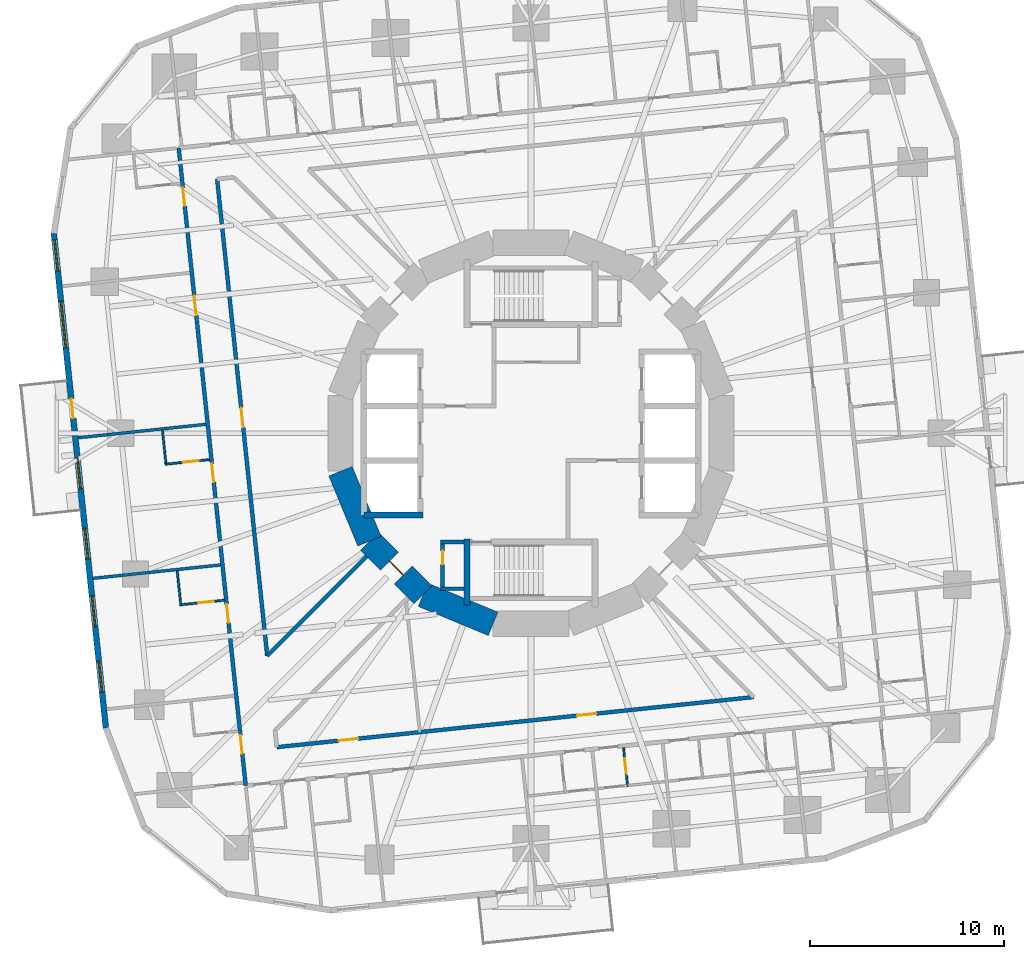
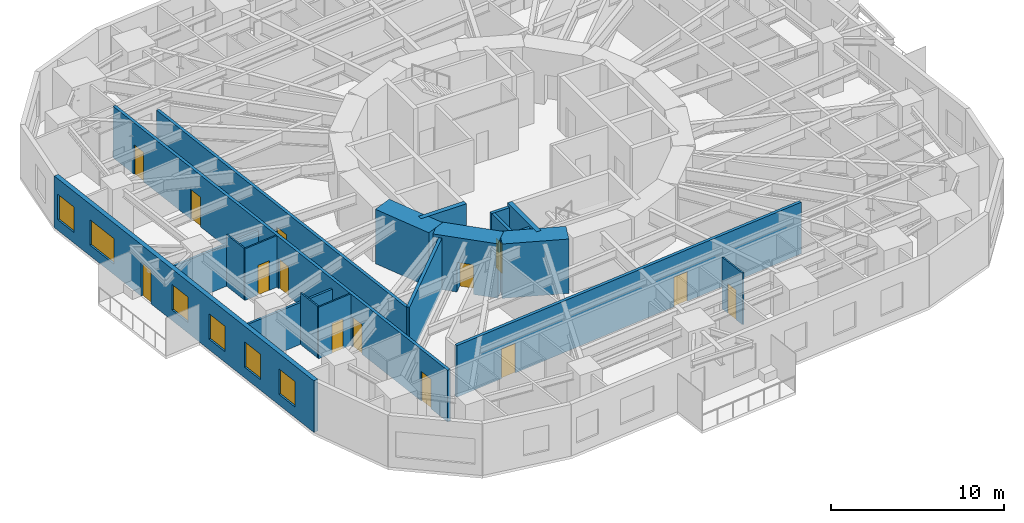
# One storey, part 6 of 13: 20 walls, 14 doors, 6 windows, 20 openings.
"""IFC4 building model written with IfcOpenShell, lengths in metres."""

from ifc_helpers import new_model, si_unit, direction, frame, frame_2d, origin, place, context, subcontext, project, spatial, rectangle, extrude, material, layer, layer_set, type_object, element, fill, save


model = new_model("IFC4")

# Units and contexts
model_context = context("Model", 3, precision=1e-05, world=origin(), true_north=direction((0.0, 1.0)))
body_context = subcontext(model_context, "Body", "Model", "MODEL_VIEW")
ifc_project = project(units=[si_unit("LENGTHUNIT", "METRE"), si_unit("AREAUNIT", "SQUARE_METRE"), si_unit("VOLUMEUNIT", "CUBIC_METRE"), si_unit("PLANEANGLEUNIT", "RADIAN"), si_unit("MASSUNIT", "GRAM", prefix="KILO")], contexts=[model_context])

# Site, building, storey
site_placement = place(None, origin())
site = spatial("IfcSite", under=ifc_project, at=site_placement, CompositionType="ELEMENT")
building_placement = place(site_placement, origin())
building = spatial("IfcBuilding", under=site, at=building_placement, Name="Nakasero Lantern House", CompositionType="ELEMENT")
storey_placement = place(building_placement, frame((0.0, 0.0, 83.60009765625)))
storey = spatial("IfcBuildingStorey", under=building, at=storey_placement, Name="L20", CompositionType="ELEMENT", Elevation=83.60009765625)

# Walls
ifc_material_1 = material(Name="Concrete C50/60", Category="concrete")
ifc_layer_1 = layer(ifc_material_1, 0.300048828125)
ifc_layer_set_1 = layer_set([ifc_layer_1], Name="Core inner wall 300")
wall_type_1 = type_object("IfcWallType", Name="Core inner wall 300", PredefinedType="SHEAR", material=ifc_layer_set_1)
wall_1_placement = place(storey_placement, frame((-8.60009765625, -4.199951171875, 0.0), z_axis=(0.0, 0.0, 1.0), x_axis=(1.0, 0.0, 0.0)))
element("IfcWall", 1, at=wall_1_placement, inside=storey, type_object=wall_type_1, Name="Core inner wall L20 LWS", PredefinedType="SHEAR", context=body_context, shape_type="SweptSolid", body=[
    extrude(rectangle(XDim=3.050048828125, YDim=0.300048828125, at=frame_2d((1.52490234375, 0.0))), origin(), (0.0, 0.0, 1.0), 3.849853515625),
])
wall_2_placement = place(storey_placement, frame((-3.300048828125, -5.449951171875, 0.0), z_axis=(0.0, 0.0, 1.0), x_axis=(0.0, -1.0, 0.0)))
element("IfcWall", 2, at=wall_2_placement, inside=storey, type_object=wall_type_1, Name="Core inner wall L20 SSW", PredefinedType="SHEAR", context=body_context, shape_type="SweptSolid", body=[
    extrude(rectangle(XDim=3.400146484375, YDim=0.300048828125, at=frame_2d((1.7001953125, 0.0))), origin(), (0.0, 0.0, 1.0), 3.849853515625),
])
ifc_material_2 = material(Name="Concrete C50/60", Category="concrete")
ifc_layer_2 = layer(ifc_material_2, 1.300048828125)
ifc_layer_set_2 = layer_set([ifc_layer_2], Name="Core wall 1300")
wall_type_2 = type_object("IfcWallType", Name="Core wall 1300", PredefinedType="SHEAR", material=ifc_layer_set_2)
wall_3_placement = place(storey_placement, frame((-9.807861328125, -1.950927734375, 0.0), z_axis=(0.0, 0.0, 1.0), x_axis=(0.382690736062, -0.923876507187, 0.0)))
element("IfcWall", 3, at=wall_3_placement, inside=storey, type_object=wall_type_2, Name="Core wall L20 facet 9", PredefinedType="SHEAR", context=body_context, shape_type="SweptSolid", body=[
    extrude(rectangle(XDim=3.90185546875, YDim=1.300048828125, at=frame_2d((1.950927734375, 0.0))), origin(), (0.0, 0.0, 1.0), 3.849853515625),
])

# Wall, opening, door
wall_4_placement = place(storey_placement, frame((-8.314697265625, -5.5556640625, 0.0), z_axis=(0.0, 0.0, 1.0), x_axis=(0.707106781187, -0.707106781187, 0.0)))
wall_4 = element("IfcWall", 4, at=wall_4_placement, inside=storey, type_object=wall_type_2, Name="Core wall L20 facet 10", PredefinedType="SHEAR", context=body_context, shape_type="SweptSolid", body=[
    extrude(rectangle(XDim=3.90185546875, YDim=1.300048828125, at=frame_2d((1.950927734375, 0.0))), origin(), (0.0, 0.0, 1.0), 3.849853515625),
])
opening_1_placement = place(wall_4_placement, frame((1.450927734375, 0.0, 0.0)))
opening_1 = element("IfcOpeningElement", 5, at=opening_1_placement, cuts=wall_4, Name="Opening D05", PredefinedType="OPENING", context=body_context, shape_type="SweptSolid", body=[
    extrude(rectangle(XDim=1.0, YDim=2.10009765625, at=frame_2d((0.5, 1.050048828125))), frame((0.0, 0.669921875, 0.0), z_axis=(0.0, -1.0, 0.0), x_axis=(1.0, 0.0, 0.0)), (0.0, 0.0, 1.0), 1.340087890625),
])
ifc_material_3 = material(Name="Timber C24", Category="wood")
door_type_1 = type_object("IfcDoorType", Name="Core door FD60S 1000", OperationType="SINGLE_SWING_LEFT", PredefinedType="DOOR", material=ifc_material_3)
door_1_placement = place(opening_1_placement, origin())
door_1 = element("IfcDoor", 6, at=door_1_placement, inside=storey, type_object=door_type_1, Name="Door L20 D-CORE10", OperationType="SINGLE_SWING_LEFT", OverallHeight=2.10009765625, OverallWidth=1.0, PredefinedType="DOOR", context=body_context, shape_type="SweptSolid", body=[
    extrude(rectangle(XDim=1.0, YDim=2.10009765625, at=frame_2d((0.5, 1.050048828125))), frame((0.0, 0.02490234375, 0.0), z_axis=(0.0, -1.0, 0.0), x_axis=(1.0, 0.0, 0.0)), (0.0, 0.0, 1.0), 0.050048828125),
])
fill(opening_1, door_1)

# Wall
wall_5_placement = place(storey_placement, frame((-5.5556640625, -8.314697265625, 0.0), z_axis=(0.0, 0.0, 1.0), x_axis=(0.923876507187, -0.382690736062, 0.0)))
element("IfcWall", 7, at=wall_5_placement, inside=storey, type_object=wall_type_2, Name="Core wall L20 facet 11", PredefinedType="SHEAR", context=body_context, shape_type="SweptSolid", body=[
    extrude(rectangle(XDim=3.90185546875, YDim=1.300048828125, at=frame_2d((1.950927734375, 0.0))), origin(), (0.0, 0.0, 1.0), 3.849853515625),
])

# Wall, openings, doors
ifc_material_4 = material(Name="Blockwork", Category="masonry")
ifc_layer_3 = layer(ifc_material_4, 0.199951171875)
ifc_layer_set_3 = layer_set([ifc_layer_3], Name="Corridor wall 200")
wall_type_3 = type_object("IfcWallType", Name="Corridor wall 200", PredefinedType="PARTITIONING", material=ifc_layer_set_3)
wall_6_placement = place(storey_placement, frame((-18.13427734375, 14.684814453125, 0.0), z_axis=(0.0, 0.0, 1.0), x_axis=(0.10452958258, -0.994521777723, 0.0)))
wall_6 = element("IfcWall", 8, at=wall_6_placement, inside=storey, type_object=wall_type_3, Name="Corridor wall L20 CW2", PredefinedType="PARTITIONING", context=body_context, shape_type="SweptSolid", body=[
    extrude(rectangle(XDim=32.999755859375, YDim=0.199951171875, at=frame_2d((16.5, 0.0))), origin(), (0.0, 0.0, 1.0), 3.64990234375),
])
opening_2_placement = place(wall_6_placement, frame((2.050048828125, 0.0, 0.0)))
opening_2 = element("IfcOpeningElement", 9, at=opening_2_placement, cuts=wall_6, Name="Opening D01", PredefinedType="OPENING", context=body_context, shape_type="SweptSolid", body=[
    extrude(rectangle(XDim=0.949951171875, YDim=2.10009765625, at=frame_2d((0.47509765625, 1.050048828125))), frame((0.0, 0.119873046875, 0.0), z_axis=(0.0, -1.0, 0.0), x_axis=(1.0, 0.0, 0.0)), (0.0, 0.0, 1.0), 0.239990234375),
])
opening_3_placement = place(wall_6_placement, frame((16.3427734375, 0.0, 0.0)))
opening_3 = element("IfcOpeningElement", 10, at=opening_3_placement, cuts=wall_6, Name="Opening D01", PredefinedType="OPENING", context=body_context, shape_type="SweptSolid", body=[
    extrude(rectangle(XDim=0.949951171875, YDim=2.10009765625, at=frame_2d((0.47509765625, 1.050048828125))), frame((0.0, 0.119873046875, 0.0), z_axis=(0.0, -1.0, 0.0), x_axis=(1.0, 0.0, 0.0)), (0.0, 0.0, 1.0), 0.239990234375),
])
opening_4_placement = place(wall_6_placement, frame((23.6201171875, 0.0, 0.0)))
opening_4 = element("IfcOpeningElement", 11, at=opening_4_placement, cuts=wall_6, Name="Opening D01", PredefinedType="OPENING", context=body_context, shape_type="SweptSolid", body=[
    extrude(rectangle(XDim=0.949951171875, YDim=2.10009765625, at=frame_2d((0.47509765625, 1.050048828125))), frame((0.0, 0.119873046875, 0.0), z_axis=(0.0, -1.0, 0.0), x_axis=(1.0, 0.0, 0.0)), (0.0, 0.0, 1.0), 0.239990234375),
])
opening_5_placement = place(wall_6_placement, frame((30.39111328125, 0.0, 0.0)))
opening_5 = element("IfcOpeningElement", 12, at=opening_5_placement, cuts=wall_6, Name="Opening D01", PredefinedType="OPENING", context=body_context, shape_type="SweptSolid", body=[
    extrude(rectangle(XDim=0.949951171875, YDim=2.10009765625, at=frame_2d((0.47509765625, 1.050048828125))), frame((0.0, 0.119873046875, 0.0), z_axis=(0.0, -1.0, 0.0), x_axis=(1.0, 0.0, 0.0)), (0.0, 0.0, 1.0), 0.239990234375),
])
opening_6_placement = place(wall_6_placement, frame((7.650634765625, 0.0, 0.0)))
opening_6 = element("IfcOpeningElement", 13, at=opening_6_placement, cuts=wall_6, Name="Opening D03", PredefinedType="OPENING", context=body_context, shape_type="SweptSolid", body=[
    extrude(rectangle(XDim=1.0, YDim=2.10009765625, at=frame_2d((0.5, 1.050048828125))), frame((0.0, 0.119873046875, 0.0), z_axis=(0.0, -1.0, 0.0), x_axis=(1.0, 0.0, 0.0)), (0.0, 0.0, 1.0), 0.239990234375),
])
ifc_material_5 = material(Name="Timber C24", Category="wood")
door_type_2 = type_object("IfcDoorType", Name="Bedroom door FD30S 950", OperationType="SINGLE_SWING_LEFT", PredefinedType="DOOR", material=ifc_material_5)
door_2_placement = place(opening_2_placement, origin())
door_2 = element("IfcDoor", 14, at=door_2_placement, inside=storey, type_object=door_type_2, Name="Door L20 D2-00", OperationType="SINGLE_SWING_LEFT", OverallHeight=2.10009765625, OverallWidth=0.949951171875, PredefinedType="DOOR", context=body_context, shape_type="SweptSolid", body=[
    extrude(rectangle(XDim=0.949951171875, YDim=2.10009765625, at=frame_2d((0.47509765625, 1.050048828125))), frame((0.0, 0.02490234375, 0.0), z_axis=(0.0, -1.0, 0.0), x_axis=(1.0, 0.0, 0.0)), (0.0, 0.0, 1.0), 0.050048828125),
])
fill(opening_2, door_2)
door_3_placement = place(opening_3_placement, origin())
door_3 = element("IfcDoor", 15, at=door_3_placement, inside=storey, type_object=door_type_2, Name="Door L20 D2-04", OperationType="SINGLE_SWING_RIGHT", OverallHeight=2.10009765625, OverallWidth=0.949951171875, PredefinedType="DOOR", context=body_context, shape_type="SweptSolid", body=[
    extrude(rectangle(XDim=0.949951171875, YDim=2.10009765625, at=frame_2d((0.47509765625, 1.050048828125))), frame((0.0, 0.02490234375, 0.0), z_axis=(0.0, -1.0, 0.0), x_axis=(1.0, 0.0, 0.0)), (0.0, 0.0, 1.0), 0.050048828125),
])
fill(opening_3, door_3)
door_4_placement = place(opening_4_placement, origin())
door_4 = element("IfcDoor", 16, at=door_4_placement, inside=storey, type_object=door_type_2, Name="Door L20 D2-06", OperationType="SINGLE_SWING_RIGHT", OverallHeight=2.10009765625, OverallWidth=0.949951171875, PredefinedType="DOOR", context=body_context, shape_type="SweptSolid", body=[
    extrude(rectangle(XDim=0.949951171875, YDim=2.10009765625, at=frame_2d((0.47509765625, 1.050048828125))), frame((0.0, 0.02490234375, 0.0), z_axis=(0.0, -1.0, 0.0), x_axis=(1.0, 0.0, 0.0)), (0.0, 0.0, 1.0), 0.050048828125),
])
fill(opening_4, door_4)
door_5_placement = place(opening_5_placement, origin())
door_5 = element("IfcDoor", 17, at=door_5_placement, inside=storey, type_object=door_type_2, Name="Door L20 D2-08", OperationType="SINGLE_SWING_RIGHT", OverallHeight=2.10009765625, OverallWidth=0.949951171875, PredefinedType="DOOR", context=body_context, shape_type="SweptSolid", body=[
    extrude(rectangle(XDim=0.949951171875, YDim=2.10009765625, at=frame_2d((0.47509765625, 1.050048828125))), frame((0.0, 0.02490234375, 0.0), z_axis=(0.0, -1.0, 0.0), x_axis=(1.0, 0.0, 0.0)), (0.0, 0.0, 1.0), 0.050048828125),
])
fill(opening_5, door_5)
ifc_material_6 = material(Name="Timber C24", Category="wood")
door_type_3 = type_object("IfcDoorType", Name="Lounge door FD30S 1000", OperationType="SINGLE_SWING_LEFT", PredefinedType="DOOR", material=ifc_material_6)
door_6_placement = place(opening_6_placement, origin())
door_6 = element("IfcDoor", 18, at=door_6_placement, inside=storey, type_object=door_type_3, Name="Door L20 DK2", OperationType="SINGLE_SWING_LEFT", OverallHeight=2.10009765625, OverallWidth=1.0, PredefinedType="DOOR", context=body_context, shape_type="SweptSolid", body=[
    extrude(rectangle(XDim=1.0, YDim=2.10009765625, at=frame_2d((0.5, 1.050048828125))), frame((0.0, 0.02490234375, 0.0), z_axis=(0.0, -1.0, 0.0), x_axis=(1.0, 0.0, 0.0)), (0.0, 0.0, 1.0), 0.050048828125),
])
fill(opening_6, door_6)

# Wall, opening, door
wall_7_placement = place(storey_placement, frame((-16.156005859375, 13.0830078125, 0.0), z_axis=(0.0, 0.0, 1.0), x_axis=(0.104528202096, -0.994521922819, 0.0)))
wall_7 = element("IfcWall", 19, at=wall_7_placement, inside=storey, type_object=wall_type_3, Name="Corridor wall L20 IW2-0", PredefinedType="PARTITIONING", context=body_context, shape_type="SweptSolid", body=[
    extrude(rectangle(XDim=24.673828125, YDim=0.199951171875, at=frame_2d((12.3369140625, 0.0))), origin(), (0.0, 0.0, 1.0), 3.64990234375),
])
opening_7_placement = place(wall_7_placement, frame((11.8369140625, 0.0, 0.0)))
opening_7 = element("IfcOpeningElement", 20, at=opening_7_placement, cuts=wall_7, Name="Opening D07", PredefinedType="OPENING", context=body_context, shape_type="SweptSolid", body=[
    extrude(rectangle(XDim=1.0, YDim=2.10009765625, at=frame_2d((0.5, 1.050048828125))), frame((0.0, 0.119873046875, 0.0), z_axis=(0.0, -1.0, 0.0), x_axis=(1.0, 0.0, 0.0)), (0.0, 0.0, 1.0), 0.239990234375),
])
ifc_material_7 = material(Name="Timber C24", Category="wood")
door_type_4 = type_object("IfcDoorType", Name="Room door FD30S 1000", OperationType="SINGLE_SWING_LEFT", PredefinedType="DOOR", material=ifc_material_7)
door_7_placement = place(opening_7_placement, origin())
door_7 = element("IfcDoor", 21, at=door_7_placement, inside=storey, type_object=door_type_4, Name="Door L20 DI4", OperationType="SINGLE_SWING_RIGHT", OverallHeight=2.10009765625, OverallWidth=1.0, PredefinedType="DOOR", context=body_context, shape_type="SweptSolid", body=[
    extrude(rectangle(XDim=1.0, YDim=2.10009765625, at=frame_2d((0.5, 1.050048828125))), frame((0.0, 0.02490234375, 0.0), z_axis=(0.0, -1.0, 0.0), x_axis=(1.0, 0.0, 0.0)), (0.0, 0.0, 1.0), 0.050048828125),
])
fill(opening_7, door_7)

# Wall, openings, doors
wall_8_placement = place(storey_placement, frame((-13.0830078125, -16.156005859375, 0.0), z_axis=(0.0, 0.0, 1.0), x_axis=(0.994521922819, 0.104528202096, 0.0)))
wall_8 = element("IfcWall", 22, at=wall_8_placement, inside=storey, type_object=wall_type_3, Name="Corridor wall L20 IW3-0", PredefinedType="PARTITIONING", context=body_context, shape_type="SweptSolid", body=[
    extrude(rectangle(XDim=24.673828125, YDim=0.199951171875, at=frame_2d((12.3369140625, 0.0))), origin(), (0.0, 0.0, 1.0), 3.64990234375),
])
opening_8_placement = place(wall_8_placement, frame((3.201171875, 0.0, 0.0)))
opening_8 = element("IfcOpeningElement", 23, at=opening_8_placement, cuts=wall_8, Name="Opening D07", PredefinedType="OPENING", context=body_context, shape_type="SweptSolid", body=[
    extrude(rectangle(XDim=1.0, YDim=2.10009765625, at=frame_2d((0.5, 1.050048828125))), frame((0.0, 0.119873046875, 0.0), z_axis=(0.0, -1.0, 0.0), x_axis=(1.0, 0.0, 0.0)), (0.0, 0.0, 1.0), 0.239990234375),
])
opening_9_placement = place(wall_8_placement, frame((15.537841796875, 0.0, 0.0)))
opening_9 = element("IfcOpeningElement", 24, at=opening_9_placement, cuts=wall_8, Name="Opening D07", PredefinedType="OPENING", context=body_context, shape_type="SweptSolid", body=[
    extrude(rectangle(XDim=1.0, YDim=2.10009765625, at=frame_2d((0.5, 1.050048828125))), frame((0.0, 0.119873046875, 0.0), z_axis=(0.0, -1.0, 0.0), x_axis=(1.0, 0.0, 0.0)), (0.0, 0.0, 1.0), 0.239990234375),
])
door_8_placement = place(opening_8_placement, origin())
door_8 = element("IfcDoor", 25, at=door_8_placement, inside=storey, type_object=door_type_4, Name="Door L20 DI2", OperationType="SINGLE_SWING_LEFT", OverallHeight=2.10009765625, OverallWidth=1.0, PredefinedType="DOOR", context=body_context, shape_type="SweptSolid", body=[
    extrude(rectangle(XDim=1.0, YDim=2.10009765625, at=frame_2d((0.5, 1.050048828125))), frame((0.0, 0.02490234375, 0.0), z_axis=(0.0, -1.0, 0.0), x_axis=(1.0, 0.0, 0.0)), (0.0, 0.0, 1.0), 0.050048828125),
])
fill(opening_8, door_8)
door_9_placement = place(opening_9_placement, origin())
door_9 = element("IfcDoor", 26, at=door_9_placement, inside=storey, type_object=door_type_4, Name="Door L20 DI2S", OperationType="SINGLE_SWING_RIGHT", OverallHeight=2.10009765625, OverallWidth=1.0, PredefinedType="DOOR", context=body_context, shape_type="SweptSolid", body=[
    extrude(rectangle(XDim=1.0, YDim=2.10009765625, at=frame_2d((0.5, 1.050048828125))), frame((0.0, 0.02490234375, 0.0), z_axis=(0.0, -1.0, 0.0), x_axis=(1.0, 0.0, 0.0)), (0.0, 0.0, 1.0), 0.050048828125),
])
fill(opening_9, door_9)

# Wall
wall_9_placement = place(storey_placement, frame((-8.45556640625, -6.334228515625, 0.0), z_axis=(0.0, 0.0, 1.0), x_axis=(-0.707106781187, -0.707106781187, 0.0)))
element("IfcWall", 27, at=wall_9_placement, inside=storey, type_object=wall_type_3, Name="Corridor wall L20 PS10b", PredefinedType="PARTITIONING", context=body_context, shape_type="SweptSolid", body=[
    extrude(rectangle(XDim=7.24267578125, YDim=0.199951171875, at=frame_2d((3.621337890625, 0.0))), origin(), (0.0, 0.0, 1.0), 3.64990234375),
])

# Wall, opening, door
ifc_material_8 = material(Name="Blockwork", Category="masonry")
ifc_layer_4 = layer(ifc_material_8, 0.10009765625)
ifc_layer_set_4 = layer_set([ifc_layer_4], Name="En-suite wall 100")
wall_type_4 = type_object("IfcWallType", Name="En-suite wall 100", PredefinedType="PARTITIONING", material=ifc_layer_set_4)
wall_10_placement = place(storey_placement, frame((-16.549072265625, -1.35498046875, 0.0), z_axis=(0.0, 0.0, 1.0), x_axis=(-0.994518822602, -0.104557694553, 0.0)))
wall_10 = element("IfcWall", 28, at=wall_10_placement, inside=storey, type_object=wall_type_4, Name="En-suite wall L20 ES2-04", PredefinedType="PARTITIONING", context=body_context, shape_type="SweptSolid", body=[
    extrude(rectangle(XDim=2.300048828125, YDim=0.10009765625, at=frame_2d((1.14990234375, 0.0))), origin(), (0.0, 0.0, 1.0), 3.64990234375),
])
opening_10_placement = place(wall_10_placement, frame((0.550048828125, 0.0, 0.0)))
opening_10 = element("IfcOpeningElement", 29, at=opening_10_placement, cuts=wall_10, Name="Opening D02", PredefinedType="OPENING", context=body_context, shape_type="SweptSolid", body=[
    extrude(rectangle(XDim=0.800048828125, YDim=2.10009765625, at=frame_2d((0.39990234375, 1.050048828125))), frame((0.0, 0.070068359375, 0.0), z_axis=(0.0, -1.0, 0.0), x_axis=(1.0, 0.0, 0.0)), (0.0, 0.0, 1.0), 0.14013671875),
])
ifc_material_9 = material(Name="Timber C24", Category="wood")
door_type_5 = type_object("IfcDoorType", Name="En-suite door 800", OperationType="SINGLE_SWING_RIGHT", PredefinedType="DOOR", material=ifc_material_9)
door_10_placement = place(opening_10_placement, origin())
door_10 = element("IfcDoor", 30, at=door_10_placement, inside=storey, type_object=door_type_5, Name="Door L20 DE2-04", OperationType="SINGLE_SWING_LEFT", OverallHeight=2.10009765625, OverallWidth=0.800048828125, PredefinedType="DOOR", context=body_context, shape_type="SweptSolid", body=[
    extrude(rectangle(XDim=0.800048828125, YDim=2.10009765625, at=frame_2d((0.39990234375, 1.050048828125))), frame((0.0, 0.02490234375, 0.0), z_axis=(0.0, -1.0, 0.0), x_axis=(1.0, 0.0, 0.0)), (0.0, 0.0, 1.0), 0.050048828125),
])
fill(opening_10, door_10)

# Wall
wall_11_placement = place(storey_placement, frame((-18.9697265625, 0.150146484375, 0.0), z_axis=(0.0, 0.0, 1.0), x_axis=(0.104550220202, -0.994519608382, 0.0)))
element("IfcWall", 31, at=wall_11_placement, inside=storey, type_object=wall_type_4, Name="En-suite wall L20 EE2-04", PredefinedType="PARTITIONING", context=body_context, shape_type="SweptSolid", body=[
    extrude(rectangle(XDim=1.699951171875, YDim=0.10009765625, at=frame_2d((0.85009765625, 0.0))), origin(), (0.0, 0.0, 1.0), 3.64990234375),
])

# Wall, opening, door
wall_12_placement = place(storey_placement, frame((-15.788330078125, -8.592529296875, 0.0), z_axis=(0.0, 0.0, 1.0), x_axis=(-0.994529855142, -0.104452703326, 0.0)))
wall_12 = element("IfcWall", 32, at=wall_12_placement, inside=storey, type_object=wall_type_4, Name="En-suite wall L20 ES2-06", PredefinedType="PARTITIONING", context=body_context, shape_type="SweptSolid", body=[
    extrude(rectangle(XDim=2.300048828125, YDim=0.10009765625, at=frame_2d((1.14990234375, 0.0))), origin(), (0.0, 0.0, 1.0), 3.64990234375),
])
opening_11_placement = place(wall_12_placement, frame((0.550048828125, 0.0, 0.0)))
opening_11 = element("IfcOpeningElement", 33, at=opening_11_placement, cuts=wall_12, Name="Opening D02", PredefinedType="OPENING", context=body_context, shape_type="SweptSolid", body=[
    extrude(rectangle(XDim=0.800048828125, YDim=2.10009765625, at=frame_2d((0.39990234375, 1.050048828125))), frame((0.0, 0.070068359375, 0.0), z_axis=(0.0, -1.0, 0.0), x_axis=(1.0, 0.0, 0.0)), (0.0, 0.0, 1.0), 0.14013671875),
])
door_11_placement = place(opening_11_placement, origin())
door_11 = element("IfcDoor", 34, at=door_11_placement, inside=storey, type_object=door_type_5, Name="Door L20 DE2-06", OperationType="SINGLE_SWING_LEFT", OverallHeight=2.10009765625, OverallWidth=0.800048828125, PredefinedType="DOOR", context=body_context, shape_type="SweptSolid", body=[
    extrude(rectangle(XDim=0.800048828125, YDim=2.10009765625, at=frame_2d((0.39990234375, 1.050048828125))), frame((0.0, 0.02490234375, 0.0), z_axis=(0.0, -1.0, 0.0), x_axis=(1.0, 0.0, 0.0)), (0.0, 0.0, 1.0), 0.050048828125),
])
fill(opening_11, door_11)

# Wall
wall_13_placement = place(storey_placement, frame((-18.208984375, -7.087158203125, 0.0), z_axis=(0.0, 0.0, 1.0), x_axis=(0.104550220202, -0.994519608382, 0.0)))
element("IfcWall", 35, at=wall_13_placement, inside=storey, type_object=wall_type_4, Name="En-suite wall L20 EE2-06", PredefinedType="PARTITIONING", context=body_context, shape_type="SweptSolid", body=[
    extrude(rectangle(XDim=1.699951171875, YDim=0.10009765625, at=frame_2d((0.85009765625, 0.0))), origin(), (0.0, 0.0, 1.0), 3.64990234375),
])

# Wall, opening, door
wall_14_placement = place(storey_placement, frame((4.763427734375, -16.190673828125, 0.0), z_axis=(0.0, 0.0, 1.0), x_axis=(0.104602187203, -0.994514143908, 0.0)))
wall_14 = element("IfcWall", 36, at=wall_14_placement, inside=storey, type_object=wall_type_4, Name="En-suite wall L20 ES3-05", PredefinedType="PARTITIONING", context=body_context, shape_type="SweptSolid", body=[
    extrude(rectangle(XDim=2.000244140625, YDim=0.10009765625, at=frame_2d((1.0, 0.0))), origin(), (0.0, 0.0, 1.0), 3.64990234375),
])
opening_12_placement = place(wall_14_placement, frame((0.550048828125, 0.0, 0.0)))
opening_12 = element("IfcOpeningElement", 37, at=opening_12_placement, cuts=wall_14, Name="Opening D02", PredefinedType="OPENING", context=body_context, shape_type="SweptSolid", body=[
    extrude(rectangle(XDim=0.800048828125, YDim=2.10009765625, at=frame_2d((0.39990234375, 1.050048828125))), frame((0.0, 0.070068359375, 0.0), z_axis=(0.0, -1.0, 0.0), x_axis=(1.0, 0.0, 0.0)), (0.0, 0.0, 1.0), 0.14013671875),
])
door_12_placement = place(opening_12_placement, origin())
door_12 = element("IfcDoor", 38, at=door_12_placement, inside=storey, type_object=door_type_5, Name="Door L20 DE3-05", OperationType="SINGLE_SWING_LEFT", OverallHeight=2.10009765625, OverallWidth=0.800048828125, PredefinedType="DOOR", context=body_context, shape_type="SweptSolid", body=[
    extrude(rectangle(XDim=0.800048828125, YDim=2.10009765625, at=frame_2d((0.39990234375, 1.050048828125))), frame((0.0, 0.02490234375, 0.0), z_axis=(0.0, -1.0, 0.0), x_axis=(1.0, 0.0, 0.0)), (0.0, 0.0, 1.0), 0.050048828125),
])
fill(opening_12, door_12)

# Wall, openings, door, windows
ifc_material_10 = material(Name="Aluminium rainscreen on blockwork", Category="masonry")
ifc_layer_5 = layer(ifc_material_10, 0.300048828125)
ifc_layer_set_5 = layer_set([ifc_layer_5], Name="Facade wall 300")
wall_type_5 = type_object("IfcWallType", Name="Facade wall 300", PredefinedType="SOLIDWALL", material=ifc_layer_set_5)
wall_15_placement = place(storey_placement, frame((-24.56005859375, 10.2890625, 0.0), z_axis=(0.0, 0.0, 1.0), x_axis=(0.104532378096, -0.994521483895, 0.0)))
wall_15 = element("IfcWall", 39, at=wall_15_placement, inside=storey, type_object=wall_type_5, Name="Facade wall L20 FW2S", PredefinedType="SOLIDWALL", context=body_context, shape_type="SweptSolid", body=[
    extrude(rectangle(XDim=25.599853515625, YDim=0.300048828125, at=frame_2d((12.7998046875, 0.0))), origin(), (0.0, 0.0, 1.0), 3.64990234375),
])
opening_13_placement = place(wall_15_placement, frame((0.337890625, 0.0, 0.75)))
opening_13 = element("IfcOpeningElement", 40, at=opening_13_placement, cuts=wall_15, Name="Opening W01", PredefinedType="OPENING", context=body_context, shape_type="SweptSolid", body=[
    extrude(rectangle(XDim=1.60009765625, YDim=1.800048828125, at=frame_2d((0.800048828125, 0.89990234375))), frame((0.0, 0.169921875, 0.0), z_axis=(0.0, -1.0, 0.0), x_axis=(1.0, 0.0, 0.0)), (0.0, 0.0, 1.0), 0.340087890625),
])
opening_14_placement = place(wall_15_placement, frame((11.612060546875, 0.0, 0.75)))
opening_14 = element("IfcOpeningElement", 41, at=opening_14_placement, cuts=wall_15, Name="Opening W01", PredefinedType="OPENING", context=body_context, shape_type="SweptSolid", body=[
    extrude(rectangle(XDim=1.60009765625, YDim=1.800048828125, at=frame_2d((0.800048828125, 0.89990234375))), frame((0.0, 0.169921875, 0.0), z_axis=(0.0, -1.0, 0.0), x_axis=(1.0, 0.0, 0.0)), (0.0, 0.0, 1.0), 0.340087890625),
])
opening_15_placement = place(wall_15_placement, frame((15.250732421875, 0.0, 0.75)))
opening_15 = element("IfcOpeningElement", 42, at=opening_15_placement, cuts=wall_15, Name="Opening W01", PredefinedType="OPENING", context=body_context, shape_type="SweptSolid", body=[
    extrude(rectangle(XDim=1.60009765625, YDim=1.800048828125, at=frame_2d((0.800048828125, 0.89990234375))), frame((0.0, 0.169921875, 0.0), z_axis=(0.0, -1.0, 0.0), x_axis=(1.0, 0.0, 0.0)), (0.0, 0.0, 1.0), 0.340087890625),
])
opening_16_placement = place(wall_15_placement, frame((18.7626953125, 0.0, 0.75)))
opening_16 = element("IfcOpeningElement", 43, at=opening_16_placement, cuts=wall_15, Name="Opening W01", PredefinedType="OPENING", context=body_context, shape_type="SweptSolid", body=[
    extrude(rectangle(XDim=1.60009765625, YDim=1.800048828125, at=frame_2d((0.800048828125, 0.89990234375))), frame((0.0, 0.169921875, 0.0), z_axis=(0.0, -1.0, 0.0), x_axis=(1.0, 0.0, 0.0)), (0.0, 0.0, 1.0), 0.340087890625),
])
opening_17_placement = place(wall_15_placement, frame((22.1484375, 0.0, 0.75)))
opening_17 = element("IfcOpeningElement", 44, at=opening_17_placement, cuts=wall_15, Name="Opening W01", PredefinedType="OPENING", context=body_context, shape_type="SweptSolid", body=[
    extrude(rectangle(XDim=1.60009765625, YDim=1.800048828125, at=frame_2d((0.800048828125, 0.89990234375))), frame((0.0, 0.169921875, 0.0), z_axis=(0.0, -1.0, 0.0), x_axis=(1.0, 0.0, 0.0)), (0.0, 0.0, 1.0), 0.340087890625),
])
opening_18_placement = place(wall_15_placement, frame((3.51123046875, 0.0, 0.75)))
opening_18 = element("IfcOpeningElement", 45, at=opening_18_placement, cuts=wall_15, Name="Opening W03", PredefinedType="OPENING", context=body_context, shape_type="SweptSolid", body=[
    extrude(rectangle(XDim=2.39990234375, YDim=1.800048828125, at=frame_2d((1.199951171875, 0.89990234375))), frame((0.0, 0.169921875, 0.0), z_axis=(0.0, -1.0, 0.0), x_axis=(1.0, 0.0, 0.0)), (0.0, 0.0, 1.0), 0.340087890625),
])
opening_19_placement = place(wall_15_placement, frame((8.558837890625, 0.0, 0.0)))
opening_19 = element("IfcOpeningElement", 46, at=opening_19_placement, cuts=wall_15, Name="Opening D04", PredefinedType="OPENING", context=body_context, shape_type="SweptSolid", body=[
    extrude(rectangle(XDim=1.0, YDim=2.39990234375, at=frame_2d((0.5, 1.199951171875))), frame((0.0, 0.169921875, 0.0), z_axis=(0.0, -1.0, 0.0), x_axis=(1.0, 0.0, 0.0)), (0.0, 0.0, 1.0), 0.340087890625),
])
ifc_material_11 = material(Name="Aluminium 6063-T6 and glass", Category="aluminium")
door_type_6 = type_object("IfcDoorType", Name="Balcony door 1000x2400", OperationType="SINGLE_SWING_RIGHT", PredefinedType="DOOR", material=ifc_material_11)
door_13_placement = place(opening_19_placement, origin())
door_13 = element("IfcDoor", 47, at=door_13_placement, inside=storey, type_object=door_type_6, Name="Balcony door L20 DB2", OperationType="SINGLE_SWING_RIGHT", OverallHeight=2.39990234375, OverallWidth=1.0, PredefinedType="DOOR", context=body_context, shape_type="SweptSolid", body=[
    extrude(rectangle(XDim=1.0, YDim=2.39990234375, at=frame_2d((0.5, 1.199951171875))), frame((0.0, 0.02490234375, 0.0), z_axis=(0.0, -1.0, 0.0), x_axis=(1.0, 0.0, 0.0)), (0.0, 0.0, 1.0), 0.050048828125),
])
fill(opening_19, door_13)
ifc_material_12 = material(Name="Aluminium 6063-T6 and glass", Category="aluminium")
window_type_1 = type_object("IfcWindowType", Name="Bedroom window 1600x1800", PartitioningType="SINGLE_PANEL", PredefinedType="WINDOW", material=ifc_material_12)
window_1_placement = place(opening_13_placement, origin())
window_1 = element("IfcWindow", 48, at=window_1_placement, inside=storey, type_object=window_type_1, Name="Window L20 WN2-01", OverallHeight=1.800048828125, OverallWidth=1.60009765625, PartitioningType="SINGLE_PANEL", PredefinedType="WINDOW", context=body_context, shape_type="SweptSolid", body=[
    extrude(rectangle(XDim=1.60009765625, YDim=1.800048828125, at=frame_2d((0.800048828125, 0.89990234375))), frame((0.0, 0.030029296875, 0.0), z_axis=(0.0, -1.0, 0.0), x_axis=(1.0, 0.0, 0.0)), (0.0, 0.0, 1.0), 0.06005859375),
])
fill(opening_13, window_1)
window_2_placement = place(opening_14_placement, origin())
window_2 = element("IfcWindow", 49, at=window_2_placement, inside=storey, type_object=window_type_1, Name="Window L20 WN2-04", OverallHeight=1.800048828125, OverallWidth=1.60009765625, PartitioningType="SINGLE_PANEL", PredefinedType="WINDOW", context=body_context, shape_type="SweptSolid", body=[
    extrude(rectangle(XDim=1.60009765625, YDim=1.800048828125, at=frame_2d((0.800048828125, 0.89990234375))), frame((0.0, 0.030029296875, 0.0), z_axis=(0.0, -1.0, 0.0), x_axis=(1.0, 0.0, 0.0)), (0.0, 0.0, 1.0), 0.06005859375),
])
fill(opening_14, window_2)
window_3_placement = place(opening_15_placement, origin())
window_3 = element("IfcWindow", 50, at=window_3_placement, inside=storey, type_object=window_type_1, Name="Window L20 WN2-05", OverallHeight=1.800048828125, OverallWidth=1.60009765625, PartitioningType="SINGLE_PANEL", PredefinedType="WINDOW", context=body_context, shape_type="SweptSolid", body=[
    extrude(rectangle(XDim=1.60009765625, YDim=1.800048828125, at=frame_2d((0.800048828125, 0.89990234375))), frame((0.0, 0.030029296875, 0.0), z_axis=(0.0, -1.0, 0.0), x_axis=(1.0, 0.0, 0.0)), (0.0, 0.0, 1.0), 0.06005859375),
])
fill(opening_15, window_3)
window_4_placement = place(opening_16_placement, origin())
window_4 = element("IfcWindow", 51, at=window_4_placement, inside=storey, type_object=window_type_1, Name="Window L20 WN2-06", OverallHeight=1.800048828125, OverallWidth=1.60009765625, PartitioningType="SINGLE_PANEL", PredefinedType="WINDOW", context=body_context, shape_type="SweptSolid", body=[
    extrude(rectangle(XDim=1.60009765625, YDim=1.800048828125, at=frame_2d((0.800048828125, 0.89990234375))), frame((0.0, 0.030029296875, 0.0), z_axis=(0.0, -1.0, 0.0), x_axis=(1.0, 0.0, 0.0)), (0.0, 0.0, 1.0), 0.06005859375),
])
fill(opening_16, window_4)
window_5_placement = place(opening_17_placement, origin())
window_5 = element("IfcWindow", 52, at=window_5_placement, inside=storey, type_object=window_type_1, Name="Window L20 WN2-07", OverallHeight=1.800048828125, OverallWidth=1.60009765625, PartitioningType="SINGLE_PANEL", PredefinedType="WINDOW", context=body_context, shape_type="SweptSolid", body=[
    extrude(rectangle(XDim=1.60009765625, YDim=1.800048828125, at=frame_2d((0.800048828125, 0.89990234375))), frame((0.0, 0.030029296875, 0.0), z_axis=(0.0, -1.0, 0.0), x_axis=(1.0, 0.0, 0.0)), (0.0, 0.0, 1.0), 0.06005859375),
])
fill(opening_17, window_5)
ifc_material_13 = material(Name="Aluminium 6063-T6 and glass", Category="aluminium")
window_type_2 = type_object("IfcWindowType", Name="Lounge window 2400x1800", PartitioningType="SINGLE_PANEL", PredefinedType="WINDOW", material=ifc_material_13)
window_6_placement = place(opening_18_placement, origin())
window_6 = element("IfcWindow", 53, at=window_6_placement, inside=storey, type_object=window_type_2, Name="Window L20 WK2", OverallHeight=1.800048828125, OverallWidth=2.39990234375, PartitioningType="SINGLE_PANEL", PredefinedType="WINDOW", context=body_context, shape_type="SweptSolid", body=[
    extrude(rectangle(XDim=2.39990234375, YDim=1.800048828125, at=frame_2d((1.199951171875, 0.89990234375))), frame((0.0, 0.030029296875, 0.0), z_axis=(0.0, -1.0, 0.0), x_axis=(1.0, 0.0, 0.0)), (0.0, 0.0, 1.0), 0.06005859375),
])
fill(opening_18, window_6)

# Wall, opening, door
ifc_material_14 = material(Name="Blockwork", Category="masonry")
ifc_layer_6 = layer(ifc_material_14, 0.199951171875)
ifc_layer_set_6 = layer_set([ifc_layer_6], Name="Fire lobby wall 200")
wall_type_6 = type_object("IfcWallType", Name="Fire lobby wall 200", PredefinedType="PARTITIONING", material=ifc_layer_set_6)
wall_16_placement = place(storey_placement, frame((-4.550048828125, -5.60009765625, 0.0), z_axis=(0.0, 0.0, 1.0), x_axis=(0.0, -1.0, 0.0)))
wall_16 = element("IfcWall", 54, at=wall_16_placement, inside=storey, type_object=wall_type_6, Name="Fire lobby wall L20 W-RS2W", PredefinedType="PARTITIONING", context=body_context, shape_type="SweptSolid", body=[
    extrude(rectangle(XDim=2.39990234375, YDim=0.199951171875, at=frame_2d((1.199951171875, 0.0))), origin(), (0.0, 0.0, 1.0), 3.64990234375),
])
opening_20_placement = place(wall_16_placement, frame((0.449951171875, 0.0, 0.0)))
opening_20 = element("IfcOpeningElement", 55, at=opening_20_placement, cuts=wall_16, Name="Opening D06", PredefinedType="OPENING", context=body_context, shape_type="SweptSolid", body=[
    extrude(rectangle(XDim=0.699951171875, YDim=2.10009765625, at=frame_2d((0.35009765625, 1.050048828125))), frame((0.0, 0.119873046875, 0.0), z_axis=(0.0, -1.0, 0.0), x_axis=(1.0, 0.0, 0.0)), (0.0, 0.0, 1.0), 0.239990234375),
])
ifc_material_15 = material(Name="Steel S355", Category="steel")
door_type_7 = type_object("IfcDoorType", Name="Riser door FD60 700", OperationType="SINGLE_SWING_LEFT", PredefinedType="DOOR", material=ifc_material_15)
door_14_placement = place(opening_20_placement, origin())
door_14 = element("IfcDoor", 56, at=door_14_placement, inside=storey, type_object=door_type_7, Name="Door L20 D-RS2", OperationType="SINGLE_SWING_LEFT", OverallHeight=2.10009765625, OverallWidth=0.699951171875, PredefinedType="DOOR", context=body_context, shape_type="SweptSolid", body=[
    extrude(rectangle(XDim=0.699951171875, YDim=2.10009765625, at=frame_2d((0.35009765625, 1.050048828125))), frame((0.0, 0.02490234375, 0.0), z_axis=(0.0, -1.0, 0.0), x_axis=(1.0, 0.0, 0.0)), (0.0, 0.0, 1.0), 0.050048828125),
])
fill(opening_20, door_14)

# Walls
for number, where, z_axis, x_axis, name in (
    (57, (-3.449951171875, -8.0, 0.0), (0.0, 0.0, 1.0), (-1.0, 0.0, 0.0), "Fire lobby wall L20 W-RS2S"),
    (58, (-3.449951171875, -5.60009765625, 0.0), (0.0, 0.0, 1.0), (-1.0, 0.0, 0.0), "Fire lobby wall L20 W-RS2N"),
):
    element("IfcWall", number, at=place(storey_placement, frame(where, z_axis=z_axis, x_axis=x_axis)), inside=storey, type_object=wall_type_6, Name=name, PredefinedType="PARTITIONING", context=body_context, shape_type="SweptSolid", body=[
        extrude(rectangle(XDim=1.199951171875, YDim=0.199951171875, at=frame_2d((0.60009765625, 0.0))), origin(), (0.0, 0.0, 1.0), 3.64990234375),
    ])
ifc_material_16 = material(Name="Blockwork", Category="masonry")
ifc_layer_7 = layer(ifc_material_16, 0.14990234375)
ifc_layer_set_7 = layer_set([ifc_layer_7], Name="Party wall 150")
wall_type_7 = type_object("IfcWallType", Name="Party wall 150", PredefinedType="PARTITIONING", material=ifc_layer_set_7)
for number, where, z_axis, x_axis, name in (
    (59, (-16.73974609375, 0.4599609375, 0.0), (0.0, 0.0, 1.0), (-0.994521251134, -0.104534592565, 0.0), "Party wall L20 PW2-04"),
    (60, (-15.97900390625, -6.77734375, 0.0), (0.0, 0.0, 1.0), (-0.994521251134, -0.104534592565, 0.0), "Party wall L20 PW2-06"),
):
    element("IfcWall", number, at=place(storey_placement, frame(where, z_axis=z_axis, x_axis=x_axis)), inside=storey, type_object=wall_type_7, Name=name, PredefinedType="PARTITIONING", context=body_context, shape_type="SweptSolid", body=[
        extrude(rectangle(XDim=6.60009765625, YDim=0.14990234375, at=frame_2d((3.300048828125, 0.0))), origin(), (0.0, 0.0, 1.0), 2.96630859375),
    ])

save(model, "model.ifc")
